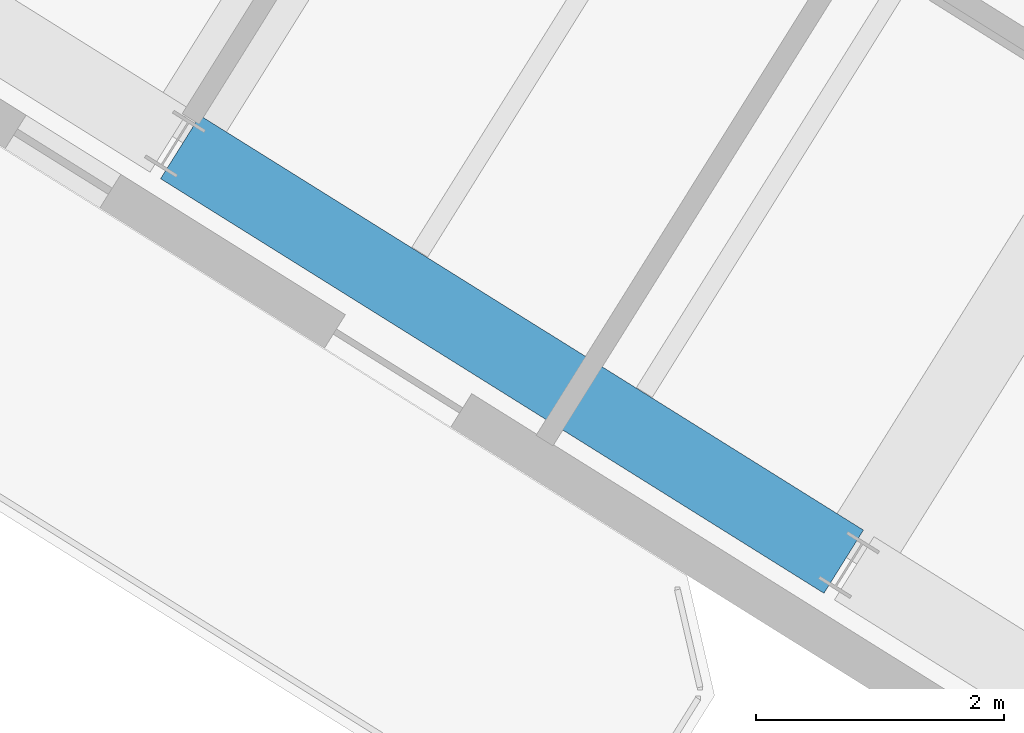
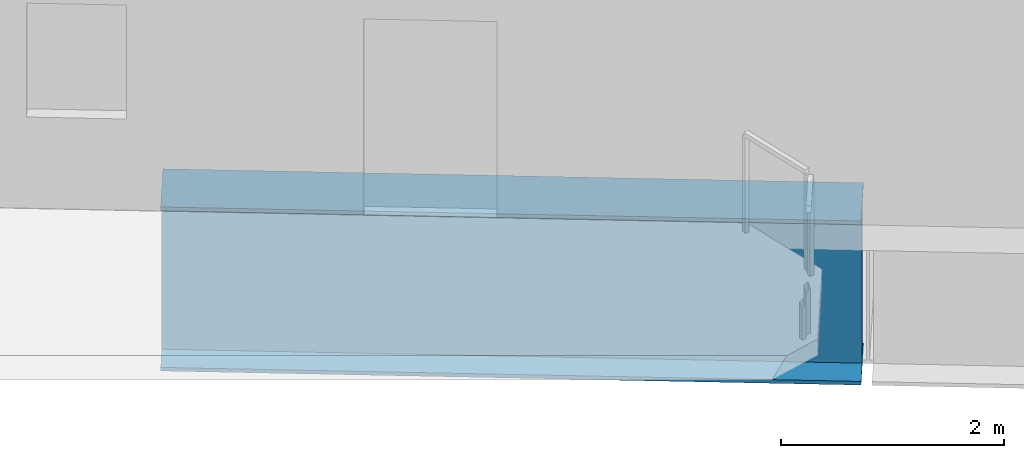
# One storey, part 5 of 26: 1 beam.
"""IFC4 building model written with IfcOpenShell, lengths in metres."""

import ifcopenshell
import ifcopenshell.guid

model = None  # the IFC model being written
_history = None  # IfcOwnerHistory: only IFC2X3 demands one
_inside = {}  # id of a spatial element -> (the spatial element, [elements in it])
_under = {}  # id of a project, library or spatial element -> (it, [spatial elements below it])
_declared = {}  # id of a project -> (the project, [libraries it declares])
_typed = {}  # id of a type object -> (the type object, [elements of that type])
_made_of = {}  # id of a material, layer set ... -> (it, [elements and type objects made of it])


def new_model(schema):
    """Start an empty IFC model of exactly this schema.

    Asked for "IFC4X3", IfcOpenShell would pick the latest addendum, in which some entities
    have other attributes; the version numbers below select the first issue.
    IFC2X3 requires an IfcOwnerHistory on every rooted entity: one is made here for all.
    """
    global model, _history
    if schema == "IFC4X3":
        model = ifcopenshell.file(schema_version=(4, 3, 0, 0))
    else:
        model = ifcopenshell.file(schema=schema)
    _inside.clear()
    _under.clear()
    _declared.clear()
    _typed.clear()
    _made_of.clear()
    _history = None
    if model.schema == "IFC2X3":
        org = make("IfcOrganization", Name="unknown")
        user = make(
            "IfcPersonAndOrganization",
            ThePerson=make("IfcPerson", FamilyName="unknown"),
            TheOrganization=org,
        )
        app = make(
            "IfcApplication",
            ApplicationDeveloper=org,
            Version="unknown",
            ApplicationFullName="unknown",
            ApplicationIdentifier="unknown",
        )
        _history = make(
            "IfcOwnerHistory",
            OwningUser=user,
            OwningApplication=app,
            ChangeAction="ADDED",
            CreationDate=0,
        )
    return model


def make(cls, **values):
    """One entity of the class cls with the attributes given. An attribute that is None is left unset."""
    return model.create_entity(
        cls, **{name: value for name, value in values.items() if value is not None}
    )


def rooted(cls, **values):
    """An entity with a GlobalId (a new one), such as an element, a storey or a relation."""
    return make(cls, GlobalId=ifcopenshell.guid.new(), OwnerHistory=_history, **values)


def si_unit(unit_type, name, prefix=None):
    """IfcSIUnit, for example si_unit("LENGTHUNIT", "METRE", prefix="MILLI")."""
    return make("IfcSIUnit", UnitType=unit_type, Prefix=prefix, Name=name)


def assignment(units):
    """IfcUnitAssignment: the units of a project."""
    return None if units is None else make("IfcUnitAssignment", Units=units)


def point(xyz):
    """IfcCartesianPoint."""
    return None if xyz is None else make("IfcCartesianPoint", Coordinates=xyz)


def direction(xyz):
    """IfcDirection."""
    return None if xyz is None else make("IfcDirection", DirectionRatios=xyz)


def frame(location, z_axis=None, x_axis=None):
    """IfcAxis2Placement3D, a coordinate frame: its origin and axes. An axis left out is left unset."""
    return make(
        "IfcAxis2Placement3D",
        Location=point(location),
        Axis=direction(z_axis),
        RefDirection=direction(x_axis),
    )


def frame_2d(location, x_axis=None):
    """IfcAxis2Placement2D, a coordinate frame in the plane: its origin and x axis."""
    return make(
        "IfcAxis2Placement2D", Location=point(location), RefDirection=direction(x_axis)
    )


def origin():
    """The frame at (0, 0, 0) with its axes left unset."""
    return frame((0.0, 0.0, 0.0))


def origin_2d():
    """The frame at (0, 0) in the plane with its x axis left unset."""
    return frame_2d((0.0, 0.0))


def place(relative_to, where):
    """IfcLocalPlacement: puts the frame where relative to a parent placement (None: the world)."""
    return make(
        "IfcLocalPlacement", PlacementRelTo=relative_to, RelativePlacement=where
    )


def context(
    kind, dimensions, precision=None, world=None, true_north=None, identifier=None
):
    """IfcGeometricRepresentationContext, for example the 3D "Model" context."""
    return make(
        "IfcGeometricRepresentationContext",
        ContextIdentifier=identifier,
        ContextType=kind,
        CoordinateSpaceDimension=dimensions,
        Precision=precision,
        WorldCoordinateSystem=world,
        TrueNorth=true_north,
    )


def subcontext(parent, identifier, kind, view, scale=None):
    """IfcGeometricRepresentationSubContext, for example "Body" below "Model"."""
    return make(
        "IfcGeometricRepresentationSubContext",
        ContextIdentifier=identifier,
        ContextType=kind,
        ParentContext=parent,
        TargetScale=scale,
        TargetView=view,
    )


def project(units=None, contexts=None):
    """IfcProject with its units and contexts."""
    return rooted(
        "IfcProject",
        Name="project",
        RepresentationContexts=contexts,
        UnitsInContext=assignment(units),
    )


def spatial(cls, under=None, at=None, **own):
    """A site, building, storey or space (cls), placed at a placement, below another one or the project."""
    s = rooted(cls, ObjectPlacement=at, **own)
    if under is not None:
        _under.setdefault(under.id(), (under, []))[1].append(s)
    return s


def profile(cls, at=None, kind="AREA", **sizes):
    """A parametric profile (cls). Its sizes go by their IFC names, for example OverallWidth=200.0."""
    return make(cls, ProfileType=kind, Position=at, **sizes)


def i_section(**sizes):
    """IfcIShapeProfileDef."""
    return profile("IfcIShapeProfileDef", **sizes)


def extrude(swept, where, along, depth):
    """IfcExtrudedAreaSolid: the profile swept, set in the frame where, extruded along a direction by depth."""
    return make(
        "IfcExtrudedAreaSolid",
        SweptArea=swept,
        Position=where,
        ExtrudedDirection=direction(along),
        Depth=depth,
    )


def shape(context_of_items, identifier, shape_type, items):
    """IfcShapeRepresentation: the items that make up one representation, for example the "Body"."""
    return make(
        "IfcShapeRepresentation",
        ContextOfItems=context_of_items,
        RepresentationIdentifier=identifier,
        RepresentationType=shape_type,
        Items=items,
    )


def source(mapping_origin, context_of_items, identifier, shape_type, items):
    """IfcRepresentationMap: a shape defined once, which mapped items show again and again."""
    return make(
        "IfcRepresentationMap",
        MappingOrigin=mapping_origin,
        MappedRepresentation=shape(context_of_items, identifier, shape_type, items),
    )


def transform(
    local_origin,
    x_axis=None,
    y_axis=None,
    z_axis=None,
    scale=None,
    scale2=None,
    scale3=None,
    uniform=True,
):
    """IfcCartesianTransformationOperator3D, or its non-uniform kind. x_axis, y_axis, z_axis: its Axis1, 2, 3."""
    if uniform:
        return make(
            "IfcCartesianTransformationOperator3D",
            Axis1=direction(x_axis),
            Axis2=direction(y_axis),
            LocalOrigin=point(local_origin),
            Scale=scale,
            Axis3=direction(z_axis),
        )
    return make(
        "IfcCartesianTransformationOperator3DnonUniform",
        Axis1=direction(x_axis),
        Axis2=direction(y_axis),
        LocalOrigin=point(local_origin),
        Scale=scale,
        Axis3=direction(z_axis),
        Scale2=scale2,
        Scale3=scale3,
    )


def mapped(mapping_source, mapping_target):
    """IfcMappedItem: shows the shape of a source again, moved by a transform."""
    return make(
        "IfcMappedItem", MappingSource=mapping_source, MappingTarget=mapping_target
    )


def material(Name=None, Category=None):
    """IfcMaterial."""
    return make("IfcMaterial", Name=Name, Category=Category)


def material_profile(
    of_material, cross_section, Name=None, Category=None, Priority=None
):
    """IfcMaterialProfile: a cross section and its material."""
    return make(
        "IfcMaterialProfile",
        Name=Name,
        Material=of_material,
        Profile=cross_section,
        Priority=Priority,
        Category=Category,
    )


def profile_set(profiles, Name=None, composite=None):
    """IfcMaterialProfileSet."""
    return make(
        "IfcMaterialProfileSet",
        Name=Name,
        MaterialProfiles=profiles,
        CompositeProfile=composite,
    )


def made_of(thing, what):
    """Note that an element or type object is made of a material, layer set ...; save() writes the relation."""
    if what is not None:
        _made_of.setdefault(what.id(), (what, []))[1].append(thing)
    return thing


def type_object(cls, material=None, **own):
    """A type object (cls), such as IfcWallType, which elements share."""
    return made_of(rooted(cls, **own), material)


def element(
    cls,
    number,
    at=None,
    inside=None,
    cuts=None,
    type_object=None,
    material=None,
    context=None,
    identifier="Body",
    shape_type=None,
    held_by="IfcProductDefinitionShape",
    body=None,
    shapes=None,
    **own,
):
    """One element of the class cls, such as IfcWall. Its Tag is "e" and its number.

    at: its placement. inside: the storey or other place that contains it. cuts: it is an
    opening in that element (IfcRelVoidsElement). A single representation is given by context,
    identifier, shape_type and body (its items); several are given by shapes. held_by: the class
    of the entity that holds the representations. save() writes the other relations.
    """
    e = rooted(cls, Tag="e%d" % number, ObjectPlacement=at, **own)
    if body is not None:
        shapes = [shape(context, identifier, shape_type, body)]
    if shapes is not None:
        e.Representation = make(held_by, Representations=shapes)
    if inside is not None:
        _inside.setdefault(inside.id(), (inside, []))[1].append(e)
    if cuts is not None:
        rooted(
            "IfcRelVoidsElement", RelatingBuildingElement=cuts, RelatedOpeningElement=e
        )
    if type_object is not None:
        _typed.setdefault(type_object.id(), (type_object, []))[1].append(e)
    return made_of(e, material)


def aggregate(whole, parts):
    """IfcRelAggregates: a whole, such as a stair, and the parts it consists of."""
    return rooted("IfcRelAggregates", RelatingObject=whole, RelatedObjects=parts)


def save(model, path):
    """Write the relations noted so far, then the file.

    IfcRelAggregates (storeys below a building ...), IfcRelContainedInSpatialStructure (elements
    in a storey), IfcRelDefinesByType, IfcRelAssociatesMaterial and IfcRelDeclares: one each for
    every whole, place, type object, material and project.
    """
    for whole, parts in _under.values():
        aggregate(whole, parts)
    for where, things in _inside.values():
        rooted(
            "IfcRelContainedInSpatialStructure",
            RelatedElements=things,
            RelatingStructure=where,
        )
    for kind, things in _typed.values():
        rooted("IfcRelDefinesByType", RelatedObjects=things, RelatingType=kind)
    for what, things in _made_of.values():
        rooted("IfcRelAssociatesMaterial", RelatedObjects=things, RelatingMaterial=what)
    for by, libraries in _declared.values():
        rooted("IfcRelDeclares", RelatingContext=by, RelatedDefinitions=libraries)
    model.write(path)


model = new_model("IFC4")

# Units and contexts
model_context = context("Model", 3, precision=1e-05, world=origin(), true_north=direction((0.0, 1.0)))
body_context = subcontext(model_context, "Body", "Model", "MODEL_VIEW")
ifc_project = project(units=[si_unit("LENGTHUNIT", "METRE"), si_unit("AREAUNIT", "SQUARE_METRE"), si_unit("VOLUMEUNIT", "CUBIC_METRE"), si_unit("PLANEANGLEUNIT", "RADIAN"), si_unit("MASSUNIT", "GRAM", prefix="KILO")], contexts=[model_context])

# Site, building, storey
site_placement = place(None, origin())
site = spatial("IfcSite", under=ifc_project, at=site_placement, CompositionType="ELEMENT")
building_placement = place(site_placement, origin())
building = spatial("IfcBuilding", under=site, at=building_placement, Name="Tlacorven Tower", CompositionType="ELEMENT")
storey_placement = place(building_placement, frame((0.0, 0.0, 233.699951171875)))
storey = spatial("IfcBuildingStorey", under=building, at=storey_placement, Name="L59", CompositionType="ELEMENT", Elevation=233.699951171875)

# Beam
ifc_material = material(Name="Steel S460M", Category="steel")
ifc_material_profile = material_profile(ifc_material, i_section(OverallWidth=0.60009765625, OverallDepth=1.800048828125, WebThickness=0.028076171875, FlangeThickness=0.0400390625, at=origin_2d()), Name="PG 1800X600X28X40")
ifc_profile_set = profile_set([ifc_material_profile], Name="Steel S460M")
beam_type = type_object("IfcBeamType", Name="BM-TRG-1800", PredefinedType="USERDEFINED", material=ifc_profile_set)
shared_shape = source(origin(), body_context, "Body", "SweptSolid", [
    extrude(i_section(OverallWidth=0.60009765625, OverallDepth=1.800048828125, WebThickness=0.028076171875, FlangeThickness=0.0400390625, at=origin_2d()), origin(), (0.0, 0.0, 1.0), 6.300048828125),
])
beam_placement = place(storey_placement, frame((18.86328125, 13.638427734375, -1.179931640625), z_axis=(-0.848041842361, 0.529929272267, 0.0), x_axis=(-0.529929272267, -0.848041842361, 0.0)))
element("IfcBeam", 1, at=beam_placement, inside=storey, type_object=beam_type, Name="L59 beam BM-L59-WL4-3", ObjectType="TRANSFER GIRDER", PredefinedType="USERDEFINED", context=body_context, shape_type="MappedRepresentation", body=[
    mapped(shared_shape, transform((0.0, 0.0, 0.0), scale=1.0)),
])

save(model, "model.ifc")
